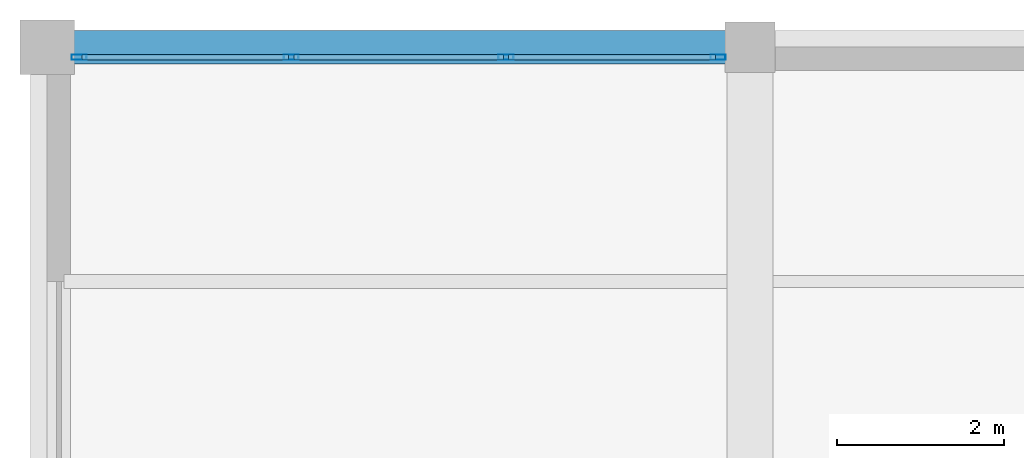
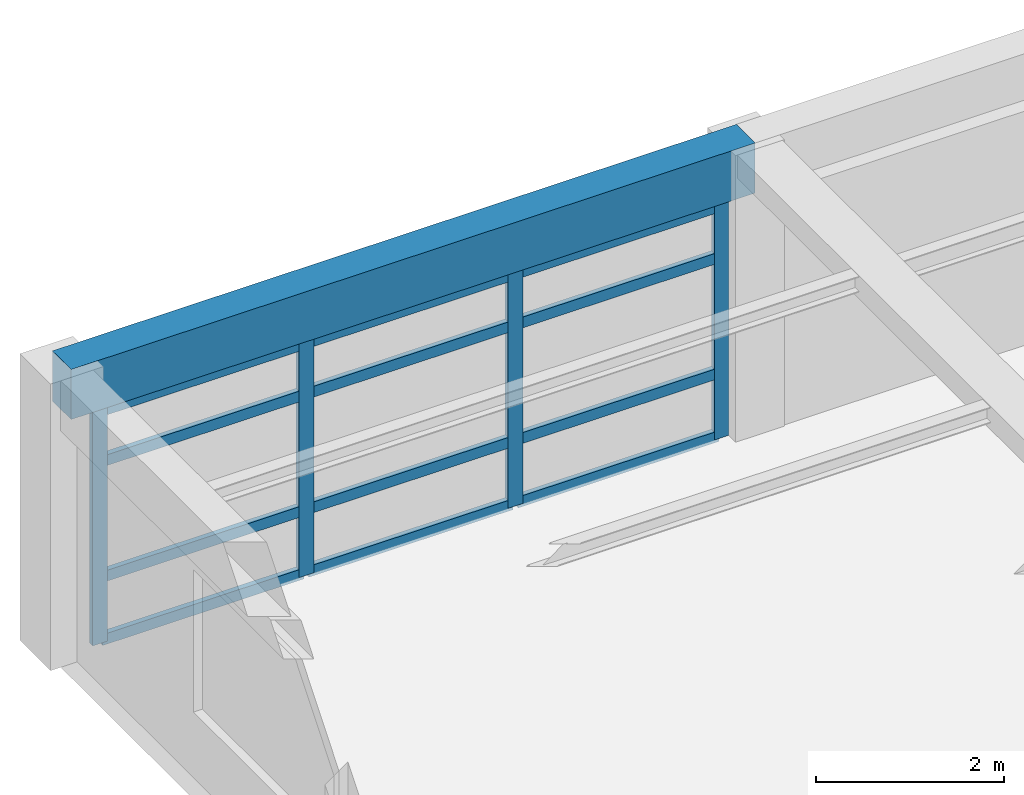
# One storey, part 17 of 26: 16 members, 1 beam, 1 element without a shape of its own.
"""IFC4 building model written with IfcOpenShell, lengths in metres."""

from ifc_helpers import new_model, si_unit, direction, frame, origin, origin_2d, place, context, subcontext, project, spatial, rectangle, hollow_rectangle, extrude, material, material_profile, profile_set, type_object, element, aggregate, save


model = new_model("IFC4")

# Units and contexts
model_context = context("Model", 3, precision=1e-05, world=origin(), true_north=direction((0.0, 1.0)))
body_context = subcontext(model_context, "Body", "Model", "MODEL_VIEW")
ifc_project = project(units=[si_unit("LENGTHUNIT", "METRE"), si_unit("AREAUNIT", "SQUARE_METRE"), si_unit("VOLUMEUNIT", "CUBIC_METRE"), si_unit("PLANEANGLEUNIT", "RADIAN"), si_unit("MASSUNIT", "GRAM", prefix="KILO")], contexts=[model_context])

# Site, building, storey
site_placement = place(None, origin())
site = spatial("IfcSite", under=ifc_project, at=site_placement, CompositionType="ELEMENT")
building_placement = place(site_placement, origin())
building = spatial("IfcBuilding", under=site, at=building_placement, Name="Almacenes y Pasaje Nevantli", CompositionType="ELEMENT")
storey_placement = place(building_placement, frame((0.0, 0.0, 46.699951171875)))
storey = spatial("IfcBuildingStorey", under=building, at=storey_placement, Name="L11", CompositionType="ELEMENT", Elevation=46.699951171875)

# Beam
ifc_material_1 = material(Name="Concrete C35/45", Category="concrete")
ifc_material_profile_1 = material_profile(ifc_material_1, rectangle(XDim=0.39990234375, YDim=0.64990234375, at=origin_2d()), Name="RC-BM-400x650")
ifc_profile_set_1 = profile_set([ifc_material_profile_1], Name="Concrete C35/45")
beam_type = type_object("IfcBeamType", Name="BM-RC-400x650", PredefinedType="SPANDREL", material=ifc_profile_set_1)
beam_placement = place(storey_placement, frame((117.60009765625, 100.800048828125, 3.39501953125), z_axis=(1.0, 0.0, 0.0), x_axis=(0.0, 1.0, 0.0)))
element("IfcBeam", 1, at=beam_placement, inside=storey, type_object=beam_type, Name="L11 East-West Reinforced Concrete Beam #3864", PredefinedType="SPANDREL", context=body_context, shape_type="SweptSolid", body=[
    extrude(rectangle(XDim=0.39990234375, YDim=0.64990234375, at=origin_2d()), origin(), (0.0, 0.0, 1.0), 8.39990234375),
])

# Curtain wall, members
ifc_material_2 = material(Name="Thermally Broken Aluminium and Low-E Glass", Category="aluminium")
curtain_wall_type = type_object("IfcCurtainWallType", Name="CW-UNIT-TOWER", PredefinedType="USERDEFINED", material=ifc_material_2)
curtain_wall_placement = place(storey_placement, origin())
curtain_wall = element("IfcCurtainWall", 2, at=curtain_wall_placement, inside=storey, type_object=curtain_wall_type, Name="L11 Tower North Boulevard Unitized Curtain Wall Bay 15", ObjectType="UNITIZED CURTAIN WALL", PredefinedType="USERDEFINED")
ifc_material_3 = material(Name="Thermally Broken Anodized Aluminium", Category="aluminium")
ifc_material_profile_2 = material_profile(ifc_material_3, hollow_rectangle(XDim=0.06494140625, YDim=0.179931640625, WallThickness=0.00390625, at=origin_2d()), Name="ALU-MUL-65x180")
ifc_profile_set_2 = profile_set([ifc_material_profile_2], Name="Thermally Broken Anodized Aluminium")
member_type_1 = type_object("IfcMemberType", Name="CW-MUL-200", PredefinedType="MULLION", material=ifc_profile_set_2)
member_1_placement = place(storey_placement, frame((117.982421875, 100.679931640625, 0.0), z_axis=(0.0, 0.0, 1.0), x_axis=(0.0, 1.0, 0.0)))
member_1 = element("IfcMember", 3, at=member_1_placement, type_object=member_type_1, Name="CW-L11-150 mullion 1", PredefinedType="MULLION", context=body_context, shape_type="SweptSolid", body=[
    extrude(hollow_rectangle(XDim=0.06494140625, YDim=0.179931640625, WallThickness=0.00390625, at=origin_2d()), origin(), (0.0, 0.0, 1.0), 3.0400390625),
])
member_2_placement = place(storey_placement, frame((120.5166015625, 100.679931640625, 0.0), z_axis=(0.0, 0.0, 1.0), x_axis=(0.0, 1.0, 0.0)))
member_2 = element("IfcMember", 4, at=member_2_placement, type_object=member_type_1, Name="CW-L11-150 mullion 2", PredefinedType="MULLION", context=body_context, shape_type="SweptSolid", body=[
    extrude(hollow_rectangle(XDim=0.06494140625, YDim=0.179931640625, WallThickness=0.00390625, at=origin_2d()), origin(), (0.0, 0.0, 1.0), 3.0400390625),
])
member_3_placement = place(storey_placement, frame((123.083251953125, 100.679931640625, 0.0), z_axis=(0.0, 0.0, 1.0), x_axis=(0.0, 1.0, 0.0)))
member_3 = element("IfcMember", 5, at=member_3_placement, type_object=member_type_1, Name="CW-L11-150 mullion 3", PredefinedType="MULLION", context=body_context, shape_type="SweptSolid", body=[
    extrude(hollow_rectangle(XDim=0.06494140625, YDim=0.179931640625, WallThickness=0.00390625, at=origin_2d()), origin(), (0.0, 0.0, 1.0), 3.0400390625),
])
member_4_placement = place(storey_placement, frame((125.617431640625, 100.679931640625, 0.0), z_axis=(0.0, 0.0, 1.0), x_axis=(0.0, 1.0, 0.0)))
member_4 = element("IfcMember", 6, at=member_4_placement, type_object=member_type_1, Name="CW-L11-150 mullion 4", PredefinedType="MULLION", context=body_context, shape_type="SweptSolid", body=[
    extrude(hollow_rectangle(XDim=0.06494140625, YDim=0.179931640625, WallThickness=0.00390625, at=origin_2d()), origin(), (0.0, 0.0, 1.0), 3.0400390625),
])
ifc_material_4 = material(Name="Thermally Broken Anodized Aluminium", Category="aluminium")
ifc_material_profile_3 = material_profile(ifc_material_4, hollow_rectangle(XDim=0.06494140625, YDim=0.139892578125, WallThickness=0.00390625, at=origin_2d()), Name="ALU-TRN-65x140")
ifc_profile_set_3 = profile_set([ifc_material_profile_3], Name="Thermally Broken Anodized Aluminium")
member_type_2 = type_object("IfcMemberType", Name="CW-TRN-150", PredefinedType="USERDEFINED", material=ifc_profile_set_3)
member_5_placement = place(storey_placement, frame((118.014892578125, 100.679931640625, 0.032470703125), z_axis=(1.0, 0.0, 0.0), x_axis=(0.0, 1.0, 0.0)))
member_5 = element("IfcMember", 7, at=member_5_placement, type_object=member_type_2, Name="CW-L11-150 transom 1.1", ObjectType="TRANSOM", PredefinedType="USERDEFINED", context=body_context, shape_type="SweptSolid", body=[
    extrude(hollow_rectangle(XDim=0.06494140625, YDim=0.139892578125, WallThickness=0.00390625, at=origin_2d()), origin(), (0.0, 0.0, 1.0), 2.46923828125),
])
member_6_placement = place(storey_placement, frame((118.014892578125, 100.679931640625, 0.85009765625), z_axis=(1.0, 0.0, 0.0), x_axis=(0.0, 1.0, 0.0)))
member_6 = element("IfcMember", 8, at=member_6_placement, type_object=member_type_2, Name="CW-L11-150 transom 1.2", ObjectType="TRANSOM", PredefinedType="USERDEFINED", context=body_context, shape_type="SweptSolid", body=[
    extrude(hollow_rectangle(XDim=0.06494140625, YDim=0.139892578125, WallThickness=0.00390625, at=origin_2d()), origin(), (0.0, 0.0, 1.0), 2.46923828125),
])
member_7_placement = place(storey_placement, frame((118.014892578125, 100.679931640625, 2.35009765625), z_axis=(1.0, 0.0, 0.0), x_axis=(0.0, 1.0, 0.0)))
member_7 = element("IfcMember", 9, at=member_7_placement, type_object=member_type_2, Name="CW-L11-150 transom 1.3", ObjectType="TRANSOM", PredefinedType="USERDEFINED", context=body_context, shape_type="SweptSolid", body=[
    extrude(hollow_rectangle(XDim=0.06494140625, YDim=0.139892578125, WallThickness=0.00390625, at=origin_2d()), origin(), (0.0, 0.0, 1.0), 2.46923828125),
])
member_8_placement = place(storey_placement, frame((118.014892578125, 100.679931640625, 3.007568359375), z_axis=(1.0, 0.0, 0.0), x_axis=(0.0, 1.0, 0.0)))
member_8 = element("IfcMember", 10, at=member_8_placement, type_object=member_type_2, Name="CW-L11-150 transom 1.4", ObjectType="TRANSOM", PredefinedType="USERDEFINED", context=body_context, shape_type="SweptSolid", body=[
    extrude(hollow_rectangle(XDim=0.06494140625, YDim=0.139892578125, WallThickness=0.00390625, at=origin_2d()), origin(), (0.0, 0.0, 1.0), 2.46923828125),
])
member_9_placement = place(storey_placement, frame((120.549072265625, 100.679931640625, 0.032470703125), z_axis=(1.0, 0.0, 0.0), x_axis=(0.0, 1.0, 0.0)))
member_9 = element("IfcMember", 11, at=member_9_placement, type_object=member_type_2, Name="CW-L11-150 transom 2.1", ObjectType="TRANSOM", PredefinedType="USERDEFINED", context=body_context, shape_type="SweptSolid", body=[
    extrude(hollow_rectangle(XDim=0.06494140625, YDim=0.139892578125, WallThickness=0.00390625, at=origin_2d()), origin(), (0.0, 0.0, 1.0), 2.501708984375),
])
member_10_placement = place(storey_placement, frame((120.549072265625, 100.679931640625, 0.85009765625), z_axis=(1.0, 0.0, 0.0), x_axis=(0.0, 1.0, 0.0)))
member_10 = element("IfcMember", 12, at=member_10_placement, type_object=member_type_2, Name="CW-L11-150 transom 2.2", ObjectType="TRANSOM", PredefinedType="USERDEFINED", context=body_context, shape_type="SweptSolid", body=[
    extrude(hollow_rectangle(XDim=0.06494140625, YDim=0.139892578125, WallThickness=0.00390625, at=origin_2d()), origin(), (0.0, 0.0, 1.0), 2.501708984375),
])
member_11_placement = place(storey_placement, frame((120.549072265625, 100.679931640625, 2.35009765625), z_axis=(1.0, 0.0, 0.0), x_axis=(0.0, 1.0, 0.0)))
member_11 = element("IfcMember", 13, at=member_11_placement, type_object=member_type_2, Name="CW-L11-150 transom 2.3", ObjectType="TRANSOM", PredefinedType="USERDEFINED", context=body_context, shape_type="SweptSolid", body=[
    extrude(hollow_rectangle(XDim=0.06494140625, YDim=0.139892578125, WallThickness=0.00390625, at=origin_2d()), origin(), (0.0, 0.0, 1.0), 2.501708984375),
])
member_12_placement = place(storey_placement, frame((120.549072265625, 100.679931640625, 3.007568359375), z_axis=(1.0, 0.0, 0.0), x_axis=(0.0, 1.0, 0.0)))
member_12 = element("IfcMember", 14, at=member_12_placement, type_object=member_type_2, Name="CW-L11-150 transom 2.4", ObjectType="TRANSOM", PredefinedType="USERDEFINED", context=body_context, shape_type="SweptSolid", body=[
    extrude(hollow_rectangle(XDim=0.06494140625, YDim=0.139892578125, WallThickness=0.00390625, at=origin_2d()), origin(), (0.0, 0.0, 1.0), 2.501708984375),
])
member_13_placement = place(storey_placement, frame((123.11572265625, 100.679931640625, 0.032470703125), z_axis=(1.0, 0.0, 0.0), x_axis=(0.0, 1.0, 0.0)))
member_13 = element("IfcMember", 15, at=member_13_placement, type_object=member_type_2, Name="CW-L11-150 transom 3.1", ObjectType="TRANSOM", PredefinedType="USERDEFINED", context=body_context, shape_type="SweptSolid", body=[
    extrude(hollow_rectangle(XDim=0.06494140625, YDim=0.139892578125, WallThickness=0.00390625, at=origin_2d()), origin(), (0.0, 0.0, 1.0), 2.46923828125),
])
member_14_placement = place(storey_placement, frame((123.11572265625, 100.679931640625, 0.85009765625), z_axis=(1.0, 0.0, 0.0), x_axis=(0.0, 1.0, 0.0)))
member_14 = element("IfcMember", 16, at=member_14_placement, type_object=member_type_2, Name="CW-L11-150 transom 3.2", ObjectType="TRANSOM", PredefinedType="USERDEFINED", context=body_context, shape_type="SweptSolid", body=[
    extrude(hollow_rectangle(XDim=0.06494140625, YDim=0.139892578125, WallThickness=0.00390625, at=origin_2d()), origin(), (0.0, 0.0, 1.0), 2.46923828125),
])
member_15_placement = place(storey_placement, frame((123.11572265625, 100.679931640625, 2.35009765625), z_axis=(1.0, 0.0, 0.0), x_axis=(0.0, 1.0, 0.0)))
member_15 = element("IfcMember", 17, at=member_15_placement, type_object=member_type_2, Name="CW-L11-150 transom 3.3", ObjectType="TRANSOM", PredefinedType="USERDEFINED", context=body_context, shape_type="SweptSolid", body=[
    extrude(hollow_rectangle(XDim=0.06494140625, YDim=0.139892578125, WallThickness=0.00390625, at=origin_2d()), origin(), (0.0, 0.0, 1.0), 2.46923828125),
])
member_16_placement = place(storey_placement, frame((123.11572265625, 100.679931640625, 3.007568359375), z_axis=(1.0, 0.0, 0.0), x_axis=(0.0, 1.0, 0.0)))
member_16 = element("IfcMember", 18, at=member_16_placement, type_object=member_type_2, Name="CW-L11-150 transom 3.4", ObjectType="TRANSOM", PredefinedType="USERDEFINED", context=body_context, shape_type="SweptSolid", body=[
    extrude(hollow_rectangle(XDim=0.06494140625, YDim=0.139892578125, WallThickness=0.00390625, at=origin_2d()), origin(), (0.0, 0.0, 1.0), 2.46923828125),
])
aggregate(curtain_wall, [member_1, member_2, member_3, member_4, member_5, member_6, member_7, member_8, member_9, member_10, member_11, member_12, member_13, member_14, member_15, member_16])

save(model, "model.ifc")
